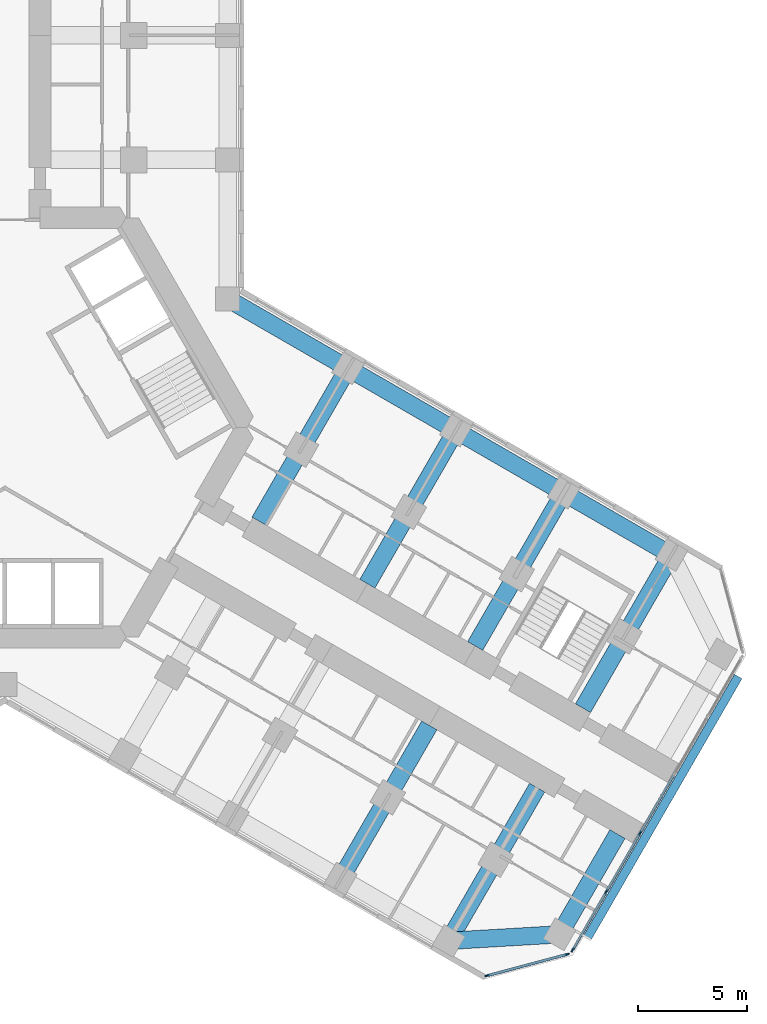
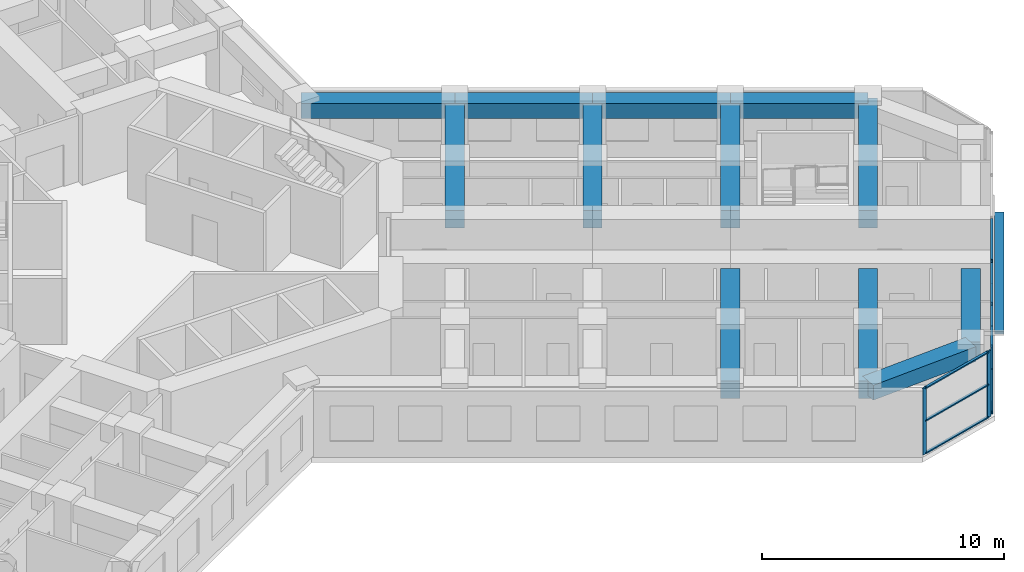
# One storey, part 4 of 18: 15 members, 12 beams, 2 elements without a shape of their own.
"""IFC4 building model written with IfcOpenShell, lengths in metres."""

from ifc_helpers import new_model, si_unit, direction, frame, origin, origin_2d, place, context, subcontext, project, spatial, rectangle, extrude, material, material_profile, profile_set, type_object, element, aggregate, save


model = new_model("IFC4")

# Units and contexts
model_context = context("Model", 3, precision=1e-05, world=origin(), true_north=direction((0.0, 1.0)))
body_context = subcontext(model_context, "Body", "Model", "MODEL_VIEW")
ifc_project = project(units=[si_unit("LENGTHUNIT", "METRE"), si_unit("AREAUNIT", "SQUARE_METRE"), si_unit("VOLUMEUNIT", "CUBIC_METRE"), si_unit("PLANEANGLEUNIT", "RADIAN"), si_unit("MASSUNIT", "GRAM", prefix="KILO")], contexts=[model_context])

# Site, building, storey
site_placement = place(None, origin())
site = spatial("IfcSite", under=ifc_project, at=site_placement, CompositionType="ELEMENT")
building_placement = place(site_placement, origin())
building = spatial("IfcBuilding", under=site, at=building_placement, Name="Kosmar Iwan School Tower", CompositionType="ELEMENT")
storey_placement = place(building_placement, frame((0.0, 0.0, 25.199951171875)))
storey = spatial("IfcBuildingStorey", under=building, at=storey_placement, Name="L05", CompositionType="ELEMENT", Elevation=25.199951171875)

# Member
ifc_material_1 = material(Name="Black anodised aluminium", Category="aluminium")
ifc_material_profile_1 = material_profile(ifc_material_1, rectangle(XDim=0.10009765625, YDim=0.39990234375, at=origin_2d()), Name="FIN 100x400")
ifc_profile_set_1 = profile_set([ifc_material_profile_1], Name="Black anodised aluminium")
member_type_1 = type_object("IfcMemberType", Name="Diagonal fin 100x400", PredefinedType="USERDEFINED", material=ifc_profile_set_1)
member_1_placement = place(storey_placement, frame((33.569580078125, -11.416015625, -0.14990234375), z_axis=(-0.483815594857, -0.837961898242, 0.252472428729), x_axis=(0.126239750018, 0.218645495686, 0.967604088836)))
element("IfcMember", 1, at=member_1_placement, inside=storey, type_object=member_type_1, Name="Diagonal fin L05-F03", ObjectType="FIN", PredefinedType="USERDEFINED", context=body_context, shape_type="SweptSolid", body=[
    extrude(rectangle(XDim=0.10009765625, YDim=0.39990234375, at=origin_2d()), origin(), (0.0, 0.0, 1.0), 14.25830078125),
])

# Curtain wall, members
ifc_material_2 = material(Name="Dark glass in black aluminium frame", Category="aluminium")
curtain_wall_type_1 = type_object("IfcCurtainWallType", Name="Chamfer curtain wall dark glass", PredefinedType="USERDEFINED", material=ifc_material_2)
curtain_wall_1_placement = place(storey_placement, origin())
curtain_wall_1 = element("IfcCurtainWall", 2, at=curtain_wall_1_placement, inside=storey, type_object=curtain_wall_type_1, Name="Curtain wall L05-F02", ObjectType="FACETED CURTAIN WALL", PredefinedType="USERDEFINED")
ifc_material_3 = material(Name="Black anodised aluminium", Category="aluminium")
ifc_material_profile_2 = material_profile(ifc_material_3, rectangle(XDim=0.06494140625, YDim=0.219970703125, at=origin_2d()), Name="MULLION 65x220")
ifc_profile_set_2 = profile_set([ifc_material_profile_2], Name="Black anodised aluminium")
member_type_2 = type_object("IfcMemberType", Name="Podium mullion 65x220", PredefinedType="MULLION", material=ifc_profile_set_2)
member_2_placement = place(storey_placement, frame((22.08544921875, -25.1015625, 0.0), z_axis=(0.0, 0.0, 1.0), x_axis=(-0.258818861462, 0.965925875495, 0.0)))
member_2 = element("IfcMember", 3, at=member_2_placement, type_object=member_type_2, Name="CW2 mullion 1", PredefinedType="MULLION", context=body_context, shape_type="SweptSolid", body=[
    extrude(rectangle(XDim=0.06494140625, YDim=0.219970703125, at=origin_2d()), origin(), (0.0, 0.0, 1.0), 3.35009765625),
])
member_3_placement = place(storey_placement, frame((25.730712890625, -24.124755859375, 0.0), z_axis=(0.0, 0.0, 1.0), x_axis=(-0.258818861462, 0.965925875495, 0.0)))
member_3 = element("IfcMember", 4, at=member_3_placement, type_object=member_type_2, Name="CW2 mullion 2", PredefinedType="MULLION", context=body_context, shape_type="SweptSolid", body=[
    extrude(rectangle(XDim=0.06494140625, YDim=0.219970703125, at=origin_2d()), origin(), (0.0, 0.0, 1.0), 3.35009765625),
])

ifc_material_4 = material(Name="Dark glass in black aluminium frame", Category="aluminium")
curtain_wall_type_2 = type_object("IfcCurtainWallType", Name="Tower curtain wall dark glass", PredefinedType="USERDEFINED", material=ifc_material_4)
curtain_wall_2_placement = place(storey_placement, origin())
curtain_wall_2 = element("IfcCurtainWall", 5, at=curtain_wall_2_placement, inside=storey, type_object=curtain_wall_type_2, Name="Curtain wall L05-F03", ObjectType="UNITISED CURTAIN WALL", PredefinedType="USERDEFINED")
member_4_placement = place(storey_placement, frame((25.998291015625, -23.91943359375, 0.0), z_axis=(0.0, 0.0, 1.0), x_axis=(-0.866025405329, 0.499999997325, 0.0)))
member_4 = element("IfcMember", 6, at=member_4_placement, type_object=member_type_2, Name="CW1 mullion 1", PredefinedType="MULLION", context=body_context, shape_type="SweptSolid", body=[
    extrude(rectangle(XDim=0.06494140625, YDim=0.219970703125, at=origin_2d()), origin(), (0.0, 0.0, 1.0), 3.35009765625),
])
member_5_placement = place(storey_placement, frame((27.53173828125, -21.263671875, 0.0), z_axis=(0.0, 0.0, 1.0), x_axis=(-0.866025405329, 0.499999997325, 0.0)))
member_5 = element("IfcMember", 7, at=member_5_placement, type_object=member_type_2, Name="CW1 mullion 2", PredefinedType="MULLION", context=body_context, shape_type="SweptSolid", body=[
    extrude(rectangle(XDim=0.06494140625, YDim=0.219970703125, at=origin_2d()), origin(), (0.0, 0.0, 1.0), 3.35009765625),
])
member_6_placement = place(storey_placement, frame((29.081298828125, -18.57958984375, 0.0), z_axis=(0.0, 0.0, 1.0), x_axis=(-0.866025405329, 0.499999997325, 0.0)))
member_6 = element("IfcMember", 8, at=member_6_placement, type_object=member_type_2, Name="CW1 mullion 3", PredefinedType="MULLION", context=body_context, shape_type="SweptSolid", body=[
    extrude(rectangle(XDim=0.06494140625, YDim=0.219970703125, at=origin_2d()), origin(), (0.0, 0.0, 1.0), 3.35009765625),
])

# Beams
ifc_material_5 = material(Name="Concrete C50/60", Category="concrete")
ifc_material_profile_3 = material_profile(ifc_material_5, rectangle(XDim=0.800048828125, YDim=0.75, at=origin_2d()), Name="RC 800x750")
ifc_profile_set_3 = profile_set([ifc_material_profile_3], Name="Concrete C50/60")
beam_type_1 = type_object("IfcBeamType", Name="RC edge beam 800x750", PredefinedType="BEAM", material=ifc_profile_set_3)
beam_1_placement = place(storey_placement, frame((10.199951171875, 5.888916015625, 2.97509765625), z_axis=(0.866030912664, -0.49999045822, 0.0), x_axis=(0.49999045822, 0.866030912664, 0.0)))
element("IfcBeam", 9, at=beam_1_placement, inside=storey, type_object=beam_type_1, Name="Edge beam CL1", PredefinedType="BEAM", context=body_context, shape_type="SweptSolid", body=[
    extrude(rectangle(XDim=0.800048828125, YDim=0.75, at=origin_2d()), origin(), (0.0, 0.0, 1.0), 6.36083984375),
])
beam_2_placement = place(storey_placement, frame((15.708740234375, 2.70849609375, 2.97509765625), z_axis=(0.866025820012, -0.499999279071, 0.0), x_axis=(0.499999279071, 0.866025820012, 0.0)))
element("IfcBeam", 10, at=beam_2_placement, inside=storey, type_object=beam_type_1, Name="Edge beam CL2", PredefinedType="BEAM", context=body_context, shape_type="SweptSolid", body=[
    extrude(rectangle(XDim=0.800048828125, YDim=0.75, at=origin_2d()), origin(), (0.0, 0.0, 1.0), 5.7001953125),
])
for number, where, z_axis, x_axis, name in (
    (11, (20.645263671875, -0.1416015625, 2.97509765625), (0.866033658841, -0.49998570155, 0.0), (0.49998570155, 0.866033658841, 0.0), "Edge beam CL3"),
    (12, (25.58154296875, -2.991455078125, 2.97509765625), (0.866015111908, -0.50001782563, 0.0), (0.50001782563, 0.866015111908, 0.0), "Edge beam CL4"),
):
    element("IfcBeam", number, at=place(storey_placement, frame(where, z_axis=z_axis, x_axis=x_axis)), inside=storey, type_object=beam_type_1, Name=name, PredefinedType="BEAM", context=body_context, shape_type="SweptSolid", body=[
        extrude(rectangle(XDim=0.800048828125, YDim=0.75, at=origin_2d()), origin(), (0.0, 0.0, 1.0), 5.699951171875),
    ])
ifc_material_6 = material(Name="Concrete C50/60", Category="concrete")
ifc_material_profile_4 = material_profile(ifc_material_6, rectangle(XDim=0.800048828125, YDim=0.75, at=origin_2d()), Name="RC 800x750")
ifc_profile_set_4 = profile_set([ifc_material_profile_4], Name="Concrete C50/60")
beam_type_2 = type_object("IfcBeamType", Name="RC tip beam 800x750", PredefinedType="BEAM", material=ifc_profile_set_4)
beam_3_placement = place(storey_placement, frame((20.31787109375, -23.508544921875, 2.97509765625), z_axis=(0.998260616478, 0.058955420358, 0.0), x_axis=(-0.058955420358, 0.998260616478, 0.0)))
element("IfcBeam", 13, at=beam_3_placement, inside=storey, type_object=beam_type_2, Name="Tip beam CR", PredefinedType="BEAM", context=body_context, shape_type="SweptSolid", body=[
    extrude(rectangle(XDim=0.800048828125, YDim=0.75, at=origin_2d()), origin(), (0.0, 0.0, 1.0), 5.08935546875),
])
beam_4_placement = place(storey_placement, frame((25.3984375, -23.20849609375, 2.97509765625), z_axis=(0.499993606316, 0.866029095148, 0.0), x_axis=(-0.866029095148, 0.499993606316, 0.0)))
element("IfcBeam", 14, at=beam_4_placement, inside=storey, type_object=beam_type_2, Name="Tip beam CR to corridor wall", PredefinedType="BEAM", context=body_context, shape_type="SweptSolid", body=[
    extrude(rectangle(XDim=0.800048828125, YDim=0.75, at=origin_2d()), origin(), (0.0, 0.0, 1.0), 5.2998046875),
])
ifc_material_7 = material(Name="Concrete C50/60", Category="concrete")
ifc_material_profile_5 = material_profile(ifc_material_7, rectangle(XDim=0.800048828125, YDim=0.89990234375, at=origin_2d()), Name="RC 800x900")
ifc_profile_set_5 = profile_set([ifc_material_profile_5], Name="Concrete C50/60")
beam_type_3 = type_object("IfcBeamType", Name="RC transverse beam 800x900", PredefinedType="BEAM", material=ifc_profile_set_5)
beam_5_placement = place(storey_placement, frame((15.708740234375, 2.70849609375, 2.900146484375), z_axis=(-0.499999880539, -0.866025472755, 0.0), x_axis=(0.866025472755, -0.499999880539, 0.0)))
element("IfcBeam", 15, at=beam_5_placement, inside=storey, type_object=beam_type_3, Name="Transverse beam CL1", PredefinedType="BEAM", context=body_context, shape_type="SweptSolid", body=[
    extrude(rectangle(XDim=0.800048828125, YDim=0.89990234375, at=origin_2d()), origin(), (0.0, 0.0, 1.0), 8.10009765625),
])
beam_6_placement = place(storey_placement, frame((20.645263671875, -0.1416015625, 2.900146484375), z_axis=(-0.500012932018, -0.866017937352, 0.0), x_axis=(0.866017937352, -0.500012932018, 0.0)))
element("IfcBeam", 16, at=beam_6_placement, inside=storey, type_object=beam_type_3, Name="Transverse beam CL2", PredefinedType="BEAM", context=body_context, shape_type="SweptSolid", body=[
    extrude(rectangle(XDim=0.800048828125, YDim=0.89990234375, at=origin_2d()), origin(), (0.0, 0.0, 1.0), 8.099853515625),
])
for number, where, z_axis, x_axis, name in (
    (17, (25.58154296875, -2.991455078125, 2.900146484375), (-0.499999880539, -0.866025472755, 0.0), (0.866025472755, -0.499999880539, 0.0), "Transverse beam CL3"),
    (18, (30.517822265625, -5.841552734375, 2.900146484375), (-0.499999880539, -0.866025472755, 0.0), (0.866025472755, -0.499999880539, 0.0), "Transverse beam CL4"),
    (19, (15.381591796875, -20.658447265625, 2.900146484375), (0.499977274689, 0.866038523851, 0.0), (-0.866038523851, 0.499977274689, 0.0), "Transverse beam CR3"),
    (20, (20.31787109375, -23.508544921875, 2.900146484375), (0.499999880539, 0.866025472755, 0.0), (-0.866025472755, 0.499999880539, 0.0), "Transverse beam CR4"),
):
    element("IfcBeam", number, at=place(storey_placement, frame(where, z_axis=z_axis, x_axis=x_axis)), inside=storey, type_object=beam_type_3, Name=name, PredefinedType="BEAM", context=body_context, shape_type="SweptSolid", body=[
        extrude(rectangle(XDim=0.800048828125, YDim=0.89990234375, at=origin_2d()), origin(), (0.0, 0.0, 1.0), 8.10009765625),
    ])

# Member
ifc_material_8 = material(Name="Black anodised aluminium", Category="aluminium")
ifc_material_profile_6 = material_profile(ifc_material_8, rectangle(XDim=0.1201171875, YDim=0.06005859375, at=origin_2d()), Name="TRANSOM 60x120")
ifc_profile_set_6 = profile_set([ifc_material_profile_6], Name="Black anodised aluminium")
member_type_3 = type_object("IfcMemberType", Name="Transom 60x120", PredefinedType="USERDEFINED", material=ifc_profile_set_6)
member_7_placement = place(storey_placement, frame((22.11669921875, -25.09326171875, 0.030029296875), z_axis=(0.965928366929, 0.258809563119, 0.0), x_axis=(-0.258809563119, 0.965928366929, 0.0)))
member_7 = element("IfcMember", 21, at=member_7_placement, type_object=member_type_3, Name="CW2 transom 1.1", ObjectType="TRANSOM", PredefinedType="USERDEFINED", context=body_context, shape_type="SweptSolid", body=[
    extrude(rectangle(XDim=0.1201171875, YDim=0.06005859375, at=origin_2d()), origin(), (0.0, 0.0, 1.0), 3.709228515625),
])

member_8_placement = place(storey_placement, frame((22.11669921875, -25.09326171875, 1.675048828125), z_axis=(0.965928366929, 0.258809563119, 0.0), x_axis=(-0.258809563119, 0.965928366929, 0.0)))
member_8 = element("IfcMember", 22, at=member_8_placement, type_object=member_type_3, Name="CW2 transom 1.2", ObjectType="TRANSOM", PredefinedType="USERDEFINED", context=body_context, shape_type="SweptSolid", body=[
    extrude(rectangle(XDim=0.1201171875, YDim=0.06005859375, at=origin_2d()), origin(), (0.0, 0.0, 1.0), 3.709228515625),
])

member_9_placement = place(storey_placement, frame((22.11669921875, -25.09326171875, 3.320068359375), z_axis=(0.965928366929, 0.258809563119, 0.0), x_axis=(-0.258809563119, 0.965928366929, 0.0)))
member_9 = element("IfcMember", 23, at=member_9_placement, type_object=member_type_3, Name="CW2 transom 1.3", ObjectType="TRANSOM", PredefinedType="USERDEFINED", context=body_context, shape_type="SweptSolid", body=[
    extrude(rectangle(XDim=0.1201171875, YDim=0.06005859375, at=origin_2d()), origin(), (0.0, 0.0, 1.0), 3.709228515625),
])

aggregate(curtain_wall_1, [member_2, member_3, member_7, member_8, member_9])

member_10_placement = place(storey_placement, frame((26.0146484375, -23.891357421875, 0.030029296875), z_axis=(0.500022833518, 0.866012220445, 0.0), x_axis=(-0.866012220445, 0.500022833518, 0.0)))
member_10 = element("IfcMember", 24, at=member_10_placement, type_object=member_type_3, Name="CW1 transom 1.1", ObjectType="TRANSOM", PredefinedType="USERDEFINED", context=body_context, shape_type="SweptSolid", body=[
    extrude(rectangle(XDim=0.1201171875, YDim=0.06005859375, at=origin_2d()), origin(), (0.0, 0.0, 1.0), 3.001708984375),
])

member_11_placement = place(storey_placement, frame((26.0146484375, -23.891357421875, 3.320068359375), z_axis=(0.500022833518, 0.866012220445, 0.0), x_axis=(-0.866012220445, 0.500022833518, 0.0)))
member_11 = element("IfcMember", 25, at=member_11_placement, type_object=member_type_3, Name="CW1 transom 1.2", ObjectType="TRANSOM", PredefinedType="USERDEFINED", context=body_context, shape_type="SweptSolid", body=[
    extrude(rectangle(XDim=0.1201171875, YDim=0.06005859375, at=origin_2d()), origin(), (0.0, 0.0, 1.0), 3.001708984375),
])

member_12_placement = place(storey_placement, frame((27.548095703125, -21.2353515625, 0.030029296875), z_axis=(0.499998735884, 0.866026133621, 0.0), x_axis=(-0.866026133621, 0.499998735884, 0.0)))
member_12 = element("IfcMember", 26, at=member_12_placement, type_object=member_type_3, Name="CW1 transom 2.1", ObjectType="TRANSOM", PredefinedType="USERDEFINED", context=body_context, shape_type="SweptSolid", body=[
    extrude(rectangle(XDim=0.1201171875, YDim=0.06005859375, at=origin_2d()), origin(), (0.0, 0.0, 1.0), 3.0341796875),
])

member_13_placement = place(storey_placement, frame((27.548095703125, -21.2353515625, 3.320068359375), z_axis=(0.499998735884, 0.866026133621, 0.0), x_axis=(-0.866026133621, 0.499998735884, 0.0)))
member_13 = element("IfcMember", 27, at=member_13_placement, type_object=member_type_3, Name="CW1 transom 2.2", ObjectType="TRANSOM", PredefinedType="USERDEFINED", context=body_context, shape_type="SweptSolid", body=[
    extrude(rectangle(XDim=0.1201171875, YDim=0.06005859375, at=origin_2d()), origin(), (0.0, 0.0, 1.0), 3.0341796875),
])

member_14_placement = place(storey_placement, frame((29.09765625, -18.55126953125, 0.030029296875), z_axis=(0.499998735884, 0.866026133621, 0.0), x_axis=(-0.866026133621, 0.499998735884, 0.0)))
member_14 = element("IfcMember", 28, at=member_14_placement, type_object=member_type_3, Name="CW1 transom 3.1", ObjectType="TRANSOM", PredefinedType="USERDEFINED", context=body_context, shape_type="SweptSolid", body=[
    extrude(rectangle(XDim=0.1201171875, YDim=0.06005859375, at=origin_2d()), origin(), (0.0, 0.0, 1.0), 3.0341796875),
])

member_15_placement = place(storey_placement, frame((29.09765625, -18.55126953125, 3.320068359375), z_axis=(0.499998735884, 0.866026133621, 0.0), x_axis=(-0.866026133621, 0.499998735884, 0.0)))
member_15 = element("IfcMember", 29, at=member_15_placement, type_object=member_type_3, Name="CW1 transom 3.2", ObjectType="TRANSOM", PredefinedType="USERDEFINED", context=body_context, shape_type="SweptSolid", body=[
    extrude(rectangle(XDim=0.1201171875, YDim=0.06005859375, at=origin_2d()), origin(), (0.0, 0.0, 1.0), 3.0341796875),
])

aggregate(curtain_wall_2, [member_4, member_5, member_6, member_10, member_11, member_12, member_13, member_14, member_15])

save(model, "model.ifc")
